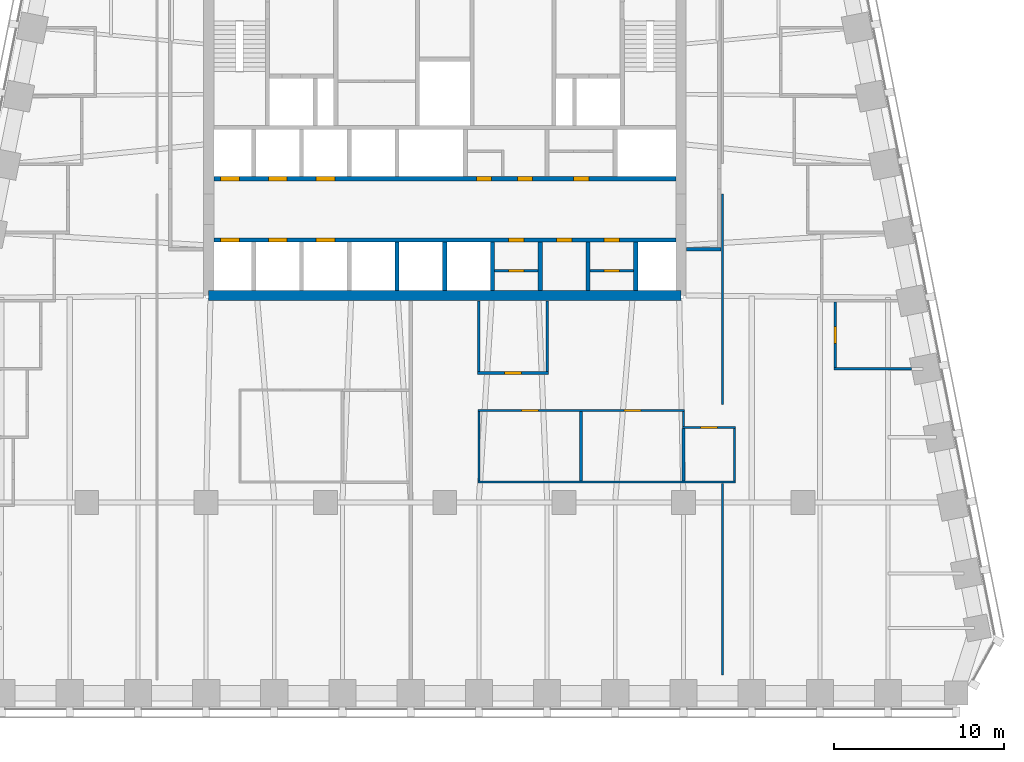
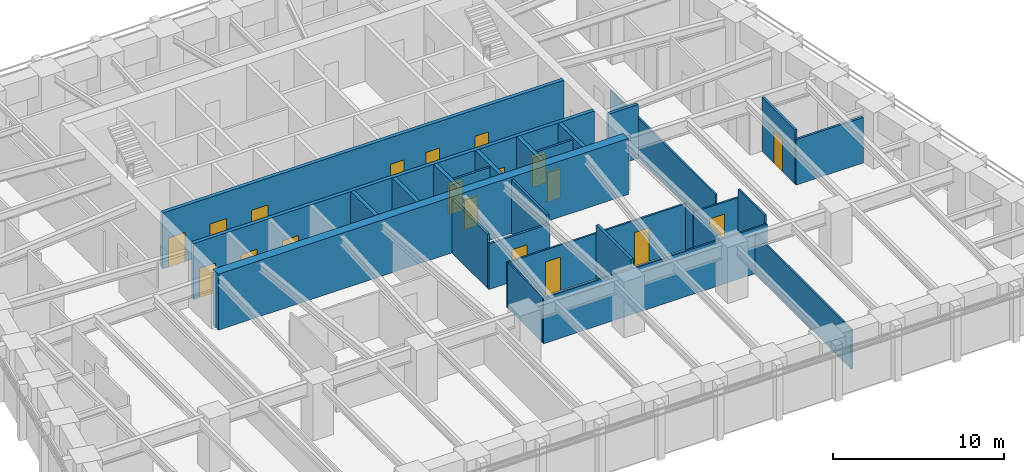
# One storey, part 6 of 10: 27 walls, 19 doors, 19 openings.
"""IFC4 building model written with IfcOpenShell, lengths in metres."""

from ifc_helpers import new_model, si_unit, direction, frame, frame_2d, origin, place, context, subcontext, project, spatial, rectangle, extrude, material, layer, layer_set, type_object, element, fill, save


model = new_model("IFC4")

# Units and contexts
model_context = context("Model", 3, precision=1e-05, world=origin(), true_north=direction((0.0, 1.0)))
body_context = subcontext(model_context, "Body", "Model", "MODEL_VIEW")
ifc_project = project(units=[si_unit("LENGTHUNIT", "METRE"), si_unit("AREAUNIT", "SQUARE_METRE"), si_unit("VOLUMEUNIT", "CUBIC_METRE"), si_unit("PLANEANGLEUNIT", "RADIAN"), si_unit("MASSUNIT", "GRAM", prefix="KILO")], contexts=[model_context])

# Site, building, storey
site_placement = place(None, origin())
site = spatial("IfcSite", under=ifc_project, at=site_placement, CompositionType="ELEMENT")
building_placement = place(site_placement, origin())
building = spatial("IfcBuilding", under=site, at=building_placement, Name="Isbrekke Arena Tower", CompositionType="ELEMENT")
storey_placement = place(building_placement, frame((0.0, 0.0, 194.0)))
storey = spatial("IfcBuildingStorey", under=building, at=storey_placement, Name="L44", CompositionType="ELEMENT", Elevation=194.0)

# Wall
ifc_material_1 = material(Name="Concrete B55 (C55/67)", Category="concrete")
ifc_layer_1 = layer(ifc_material_1, 0.60009765625)
ifc_layer_set_1 = layer_set([ifc_layer_1], Name="CW4 CORE WALL 600")
wall_type_1 = type_object("IfcWallType", Name="CW4 CORE WALL 600", PredefinedType="SHEAR", material=ifc_layer_set_1)
wall_1_placement = place(storey_placement, frame((-13.85009765625, 6.14990234375, 0.0), z_axis=(0.0, 0.0, 1.0), x_axis=(1.0, 0.0, 0.0)))
element("IfcWall", 1, at=wall_1_placement, inside=storey, type_object=wall_type_1, Name="Core wall S L44", PredefinedType="SHEAR", context=body_context, shape_type="SweptSolid", body=[
    extrude(rectangle(XDim=27.7001953125, YDim=0.60009765625, at=frame_2d((13.85009765625, 0.0))), origin(), (0.0, 0.0, 1.0), 4.0),
])

# Wall, openings, doors
ifc_material_2 = material(Name="Concrete B45 (C45/55)", Category="concrete")
ifc_layer_2 = layer(ifc_material_2, 0.25)
ifc_layer_set_2 = layer_set([ifc_layer_2], Name="CW6 SHAFT WALL 250")
wall_type_2 = type_object("IfcWallType", Name="CW6 SHAFT WALL 250", PredefinedType="SHEAR", material=ifc_layer_set_2)
wall_2_placement = place(storey_placement, frame((-13.550048828125, 9.39990234375, 0.0), z_axis=(0.0, 0.0, 1.0), x_axis=(1.0, 0.0, 0.0)))
wall_2 = element("IfcWall", 2, at=wall_2_placement, inside=storey, type_object=wall_type_2, Name="Core wall LS L44", PredefinedType="SHEAR", context=body_context, shape_type="SweptSolid", body=[
    extrude(rectangle(XDim=27.10009765625, YDim=0.25, at=frame_2d((13.550048828125, 0.0))), origin(), (0.0, 0.0, 1.0), 4.0),
])
opening_1_placement = place(wall_2_placement, frame((0.39990234375, 0.0, 0.0)))
opening_1 = element("IfcOpeningElement", 3, at=opening_1_placement, cuts=wall_2, Name="Opening LD1", PredefinedType="OPENING", context=body_context, shape_type="SweptSolid", body=[
    extrude(rectangle(XDim=1.10009765625, YDim=2.10009765625, at=frame_2d((0.550048828125, 1.050048828125))), frame((0.0, 0.139892578125, 0.0), z_axis=(0.0, -1.0, 0.0), x_axis=(1.0, 0.0, 0.0)), (0.0, 0.0, 1.0), 0.27978515625),
])
opening_2_placement = place(wall_2_placement, frame((3.199951171875, 0.0, 0.0)))
opening_2 = element("IfcOpeningElement", 4, at=opening_2_placement, cuts=wall_2, Name="Opening LD1", PredefinedType="OPENING", context=body_context, shape_type="SweptSolid", body=[
    extrude(rectangle(XDim=1.10009765625, YDim=2.10009765625, at=frame_2d((0.550048828125, 1.050048828125))), frame((0.0, 0.139892578125, 0.0), z_axis=(0.0, -1.0, 0.0), x_axis=(1.0, 0.0, 0.0)), (0.0, 0.0, 1.0), 0.27978515625),
])
opening_3_placement = place(wall_2_placement, frame((6.0, 0.0, 0.0)))
opening_3 = element("IfcOpeningElement", 5, at=opening_3_placement, cuts=wall_2, Name="Opening LD1", PredefinedType="OPENING", context=body_context, shape_type="SweptSolid", body=[
    extrude(rectangle(XDim=1.10009765625, YDim=2.10009765625, at=frame_2d((0.550048828125, 1.050048828125))), frame((0.0, 0.139892578125, 0.0), z_axis=(0.0, -1.0, 0.0), x_axis=(1.0, 0.0, 0.0)), (0.0, 0.0, 1.0), 0.27978515625),
])
opening_4_placement = place(wall_2_placement, frame((17.300048828125, 0.0, 0.0)))
opening_4 = element("IfcOpeningElement", 6, at=opening_4_placement, cuts=wall_2, Name="Opening D5", PredefinedType="OPENING", context=body_context, shape_type="SweptSolid", body=[
    extrude(rectangle(XDim=0.89990234375, YDim=2.10009765625, at=frame_2d((0.449951171875, 1.050048828125))), frame((0.0, 0.139892578125, 0.0), z_axis=(0.0, -1.0, 0.0), x_axis=(1.0, 0.0, 0.0)), (0.0, 0.0, 1.0), 0.27978515625),
])
opening_5_placement = place(wall_2_placement, frame((20.10009765625, 0.0, 0.0)))
opening_5 = element("IfcOpeningElement", 7, at=opening_5_placement, cuts=wall_2, Name="Opening D5", PredefinedType="OPENING", context=body_context, shape_type="SweptSolid", body=[
    extrude(rectangle(XDim=0.89990234375, YDim=2.10009765625, at=frame_2d((0.449951171875, 1.050048828125))), frame((0.0, 0.139892578125, 0.0), z_axis=(0.0, -1.0, 0.0), x_axis=(1.0, 0.0, 0.0)), (0.0, 0.0, 1.0), 0.27978515625),
])
opening_6_placement = place(wall_2_placement, frame((22.89990234375, 0.0, 0.0)))
opening_6 = element("IfcOpeningElement", 8, at=opening_6_placement, cuts=wall_2, Name="Opening D5", PredefinedType="OPENING", context=body_context, shape_type="SweptSolid", body=[
    extrude(rectangle(XDim=0.89990234375, YDim=2.10009765625, at=frame_2d((0.449951171875, 1.050048828125))), frame((0.0, 0.139892578125, 0.0), z_axis=(0.0, -1.0, 0.0), x_axis=(1.0, 0.0, 0.0)), (0.0, 0.0, 1.0), 0.27978515625),
])
ifc_material_3 = material(Name="Steel fire door", Category="steel")
door_type_1 = type_object("IfcDoorType", Name="D5 SERVICE DOOR 900 x 2100", OperationType="SINGLE_SWING_LEFT", PredefinedType="DOOR", material=ifc_material_3)
door_1_placement = place(opening_4_placement, origin())
door_1 = element("IfcDoor", 9, at=door_1_placement, inside=storey, type_object=door_type_1, Name="D5 first-aid room door L44", OperationType="SINGLE_SWING_LEFT", OverallHeight=2.10009765625, OverallWidth=0.89990234375, PredefinedType="DOOR", context=body_context, shape_type="SweptSolid", body=[
    extrude(rectangle(XDim=0.89990234375, YDim=2.10009765625, at=frame_2d((0.449951171875, 1.050048828125))), frame((0.0, 0.124755859375, 0.0), z_axis=(0.0, -1.0, 0.0), x_axis=(1.0, 0.0, 0.0)), (0.0, 0.0, 1.0), 0.24951171875),
])
fill(opening_4, door_1)
door_2_placement = place(opening_5_placement, origin())
door_2 = element("IfcDoor", 10, at=door_2_placement, inside=storey, type_object=door_type_1, Name="D5 tenant store door L44", OperationType="SINGLE_SWING_LEFT", OverallHeight=2.10009765625, OverallWidth=0.89990234375, PredefinedType="DOOR", context=body_context, shape_type="SweptSolid", body=[
    extrude(rectangle(XDim=0.89990234375, YDim=2.10009765625, at=frame_2d((0.449951171875, 1.050048828125))), frame((0.0, 0.124755859375, 0.0), z_axis=(0.0, -1.0, 0.0), x_axis=(1.0, 0.0, 0.0)), (0.0, 0.0, 1.0), 0.24951171875),
])
fill(opening_5, door_2)
door_3_placement = place(opening_6_placement, origin())
door_3 = element("IfcDoor", 11, at=door_3_placement, inside=storey, type_object=door_type_1, Name="D5 pantry door L44", OperationType="SINGLE_SWING_LEFT", OverallHeight=2.10009765625, OverallWidth=0.89990234375, PredefinedType="DOOR", context=body_context, shape_type="SweptSolid", body=[
    extrude(rectangle(XDim=0.89990234375, YDim=2.10009765625, at=frame_2d((0.449951171875, 1.050048828125))), frame((0.0, 0.124755859375, 0.0), z_axis=(0.0, -1.0, 0.0), x_axis=(1.0, 0.0, 0.0)), (0.0, 0.0, 1.0), 0.24951171875),
])
fill(opening_6, door_3)
ifc_material_4 = material(Name="Stainless steel lift landing door", Category="steel")
door_type_2 = type_object("IfcDoorType", Name="LD1 LIFT LANDING DOOR 1100 x 2100", OperationType="SLIDING_TO_LEFT", PredefinedType="DOOR", material=ifc_material_4)
door_4_placement = place(opening_1_placement, origin())
door_4 = element("IfcDoor", 12, at=door_4_placement, inside=storey, type_object=door_type_2, Name="LD1 lift landing door LC L44", OperationType="SLIDING_TO_LEFT", OverallHeight=2.10009765625, OverallWidth=1.10009765625, PredefinedType="DOOR", context=body_context, shape_type="SweptSolid", body=[
    extrude(rectangle(XDim=1.10009765625, YDim=2.10009765625, at=frame_2d((0.550048828125, 1.050048828125))), frame((0.0, 0.124755859375, 0.0), z_axis=(0.0, -1.0, 0.0), x_axis=(1.0, 0.0, 0.0)), (0.0, 0.0, 1.0), 0.24951171875),
])
fill(opening_1, door_4)
door_5_placement = place(opening_2_placement, origin())
door_5 = element("IfcDoor", 13, at=door_5_placement, inside=storey, type_object=door_type_2, Name="LD1 lift landing door LC L44", OperationType="SLIDING_TO_LEFT", OverallHeight=2.10009765625, OverallWidth=1.10009765625, PredefinedType="DOOR", context=body_context, shape_type="SweptSolid", body=[
    extrude(rectangle(XDim=1.10009765625, YDim=2.10009765625, at=frame_2d((0.550048828125, 1.050048828125))), frame((0.0, 0.124755859375, 0.0), z_axis=(0.0, -1.0, 0.0), x_axis=(1.0, 0.0, 0.0)), (0.0, 0.0, 1.0), 0.24951171875),
])
fill(opening_2, door_5)
door_6_placement = place(opening_3_placement, origin())
door_6 = element("IfcDoor", 14, at=door_6_placement, inside=storey, type_object=door_type_2, Name="LD1 lift landing door LC L44", OperationType="SLIDING_TO_LEFT", OverallHeight=2.10009765625, OverallWidth=1.10009765625, PredefinedType="DOOR", context=body_context, shape_type="SweptSolid", body=[
    extrude(rectangle(XDim=1.10009765625, YDim=2.10009765625, at=frame_2d((0.550048828125, 1.050048828125))), frame((0.0, 0.124755859375, 0.0), z_axis=(0.0, -1.0, 0.0), x_axis=(1.0, 0.0, 0.0)), (0.0, 0.0, 1.0), 0.24951171875),
])
fill(opening_3, door_6)

wall_3_placement = place(storey_placement, frame((-13.550048828125, 13.0, 0.0), z_axis=(0.0, 0.0, 1.0), x_axis=(1.0, 0.0, 0.0)))
wall_3 = element("IfcWall", 15, at=wall_3_placement, inside=storey, type_object=wall_type_2, Name="Core wall LN L44", PredefinedType="SHEAR", context=body_context, shape_type="SweptSolid", body=[
    extrude(rectangle(XDim=27.10009765625, YDim=0.25, at=frame_2d((13.550048828125, 0.0))), origin(), (0.0, 0.0, 1.0), 4.0),
])
opening_7_placement = place(wall_3_placement, frame((0.39990234375, 0.0, 0.0)))
opening_7 = element("IfcOpeningElement", 16, at=opening_7_placement, cuts=wall_3, Name="Opening LD1", PredefinedType="OPENING", context=body_context, shape_type="SweptSolid", body=[
    extrude(rectangle(XDim=1.10009765625, YDim=2.10009765625, at=frame_2d((0.550048828125, 1.050048828125))), frame((0.0, 0.139892578125, 0.0), z_axis=(0.0, -1.0, 0.0), x_axis=(1.0, 0.0, 0.0)), (0.0, 0.0, 1.0), 0.27978515625),
])
opening_8_placement = place(wall_3_placement, frame((3.199951171875, 0.0, 0.0)))
opening_8 = element("IfcOpeningElement", 17, at=opening_8_placement, cuts=wall_3, Name="Opening LD1", PredefinedType="OPENING", context=body_context, shape_type="SweptSolid", body=[
    extrude(rectangle(XDim=1.10009765625, YDim=2.10009765625, at=frame_2d((0.550048828125, 1.050048828125))), frame((0.0, 0.139892578125, 0.0), z_axis=(0.0, -1.0, 0.0), x_axis=(1.0, 0.0, 0.0)), (0.0, 0.0, 1.0), 0.27978515625),
])
opening_9_placement = place(wall_3_placement, frame((6.0, 0.0, 0.0)))
opening_9 = element("IfcOpeningElement", 18, at=opening_9_placement, cuts=wall_3, Name="Opening LD1", PredefinedType="OPENING", context=body_context, shape_type="SweptSolid", body=[
    extrude(rectangle(XDim=1.10009765625, YDim=2.10009765625, at=frame_2d((0.550048828125, 1.050048828125))), frame((0.0, 0.139892578125, 0.0), z_axis=(0.0, -1.0, 0.0), x_axis=(1.0, 0.0, 0.0)), (0.0, 0.0, 1.0), 0.27978515625),
])
opening_10_placement = place(wall_3_placement, frame((17.800048828125, 0.0, 0.0)))
opening_10 = element("IfcOpeningElement", 19, at=opening_10_placement, cuts=wall_3, Name="Opening D5", PredefinedType="OPENING", context=body_context, shape_type="SweptSolid", body=[
    extrude(rectangle(XDim=0.89990234375, YDim=2.10009765625, at=frame_2d((0.449951171875, 1.050048828125))), frame((0.0, 0.139892578125, 0.0), z_axis=(0.0, -1.0, 0.0), x_axis=(1.0, 0.0, 0.0)), (0.0, 0.0, 1.0), 0.27978515625),
])
opening_11_placement = place(wall_3_placement, frame((15.39990234375, 0.0, 0.0)))
opening_11 = element("IfcOpeningElement", 20, at=opening_11_placement, cuts=wall_3, Name="Opening D5", PredefinedType="OPENING", context=body_context, shape_type="SweptSolid", body=[
    extrude(rectangle(XDim=0.89990234375, YDim=2.10009765625, at=frame_2d((0.449951171875, 1.050048828125))), frame((0.0, 0.139892578125, 0.0), z_axis=(0.0, -1.0, 0.0), x_axis=(1.0, 0.0, 0.0)), (0.0, 0.0, 1.0), 0.27978515625),
])
opening_12_placement = place(wall_3_placement, frame((21.10009765625, 0.0, 0.0)))
opening_12 = element("IfcOpeningElement", 21, at=opening_12_placement, cuts=wall_3, Name="Opening D5", PredefinedType="OPENING", context=body_context, shape_type="SweptSolid", body=[
    extrude(rectangle(XDim=0.89990234375, YDim=2.10009765625, at=frame_2d((0.449951171875, 1.050048828125))), frame((0.0, 0.139892578125, 0.0), z_axis=(0.0, -1.0, 0.0), x_axis=(1.0, 0.0, 0.0)), (0.0, 0.0, 1.0), 0.27978515625),
])
door_7_placement = place(opening_10_placement, origin())
door_7 = element("IfcDoor", 22, at=door_7_placement, inside=storey, type_object=door_type_1, Name="D5 communications room door L44", OperationType="SINGLE_SWING_LEFT", OverallHeight=2.10009765625, OverallWidth=0.89990234375, PredefinedType="DOOR", context=body_context, shape_type="SweptSolid", body=[
    extrude(rectangle(XDim=0.89990234375, YDim=2.10009765625, at=frame_2d((0.449951171875, 1.050048828125))), frame((0.0, 0.124755859375, 0.0), z_axis=(0.0, -1.0, 0.0), x_axis=(1.0, 0.0, 0.0)), (0.0, 0.0, 1.0), 0.24951171875),
])
fill(opening_10, door_7)
door_8_placement = place(opening_11_placement, origin())
door_8 = element("IfcDoor", 23, at=door_8_placement, inside=storey, type_object=door_type_1, Name="D5 cleaner's store door L44", OperationType="SINGLE_SWING_LEFT", OverallHeight=2.10009765625, OverallWidth=0.89990234375, PredefinedType="DOOR", context=body_context, shape_type="SweptSolid", body=[
    extrude(rectangle(XDim=0.89990234375, YDim=2.10009765625, at=frame_2d((0.449951171875, 1.050048828125))), frame((0.0, 0.124755859375, 0.0), z_axis=(0.0, -1.0, 0.0), x_axis=(1.0, 0.0, 0.0)), (0.0, 0.0, 1.0), 0.24951171875),
])
fill(opening_11, door_8)
door_9_placement = place(opening_12_placement, origin())
door_9 = element("IfcDoor", 24, at=door_9_placement, inside=storey, type_object=door_type_1, Name="D5 tea point door L44", OperationType="SINGLE_SWING_LEFT", OverallHeight=2.10009765625, OverallWidth=0.89990234375, PredefinedType="DOOR", context=body_context, shape_type="SweptSolid", body=[
    extrude(rectangle(XDim=0.89990234375, YDim=2.10009765625, at=frame_2d((0.449951171875, 1.050048828125))), frame((0.0, 0.124755859375, 0.0), z_axis=(0.0, -1.0, 0.0), x_axis=(1.0, 0.0, 0.0)), (0.0, 0.0, 1.0), 0.24951171875),
])
fill(opening_12, door_9)
door_10_placement = place(opening_7_placement, origin())
door_10 = element("IfcDoor", 25, at=door_10_placement, inside=storey, type_object=door_type_2, Name="LD1 lift landing door LC L44", OperationType="SLIDING_TO_LEFT", OverallHeight=2.10009765625, OverallWidth=1.10009765625, PredefinedType="DOOR", context=body_context, shape_type="SweptSolid", body=[
    extrude(rectangle(XDim=1.10009765625, YDim=2.10009765625, at=frame_2d((0.550048828125, 1.050048828125))), frame((0.0, 0.124755859375, 0.0), z_axis=(0.0, -1.0, 0.0), x_axis=(1.0, 0.0, 0.0)), (0.0, 0.0, 1.0), 0.24951171875),
])
fill(opening_7, door_10)
door_11_placement = place(opening_8_placement, origin())
door_11 = element("IfcDoor", 26, at=door_11_placement, inside=storey, type_object=door_type_2, Name="LD1 lift landing door LC L44", OperationType="SLIDING_TO_LEFT", OverallHeight=2.10009765625, OverallWidth=1.10009765625, PredefinedType="DOOR", context=body_context, shape_type="SweptSolid", body=[
    extrude(rectangle(XDim=1.10009765625, YDim=2.10009765625, at=frame_2d((0.550048828125, 1.050048828125))), frame((0.0, 0.124755859375, 0.0), z_axis=(0.0, -1.0, 0.0), x_axis=(1.0, 0.0, 0.0)), (0.0, 0.0, 1.0), 0.24951171875),
])
fill(opening_8, door_11)
door_12_placement = place(opening_9_placement, origin())
door_12 = element("IfcDoor", 27, at=door_12_placement, inside=storey, type_object=door_type_2, Name="LD1 lift landing door LC L44", OperationType="SLIDING_TO_LEFT", OverallHeight=2.10009765625, OverallWidth=1.10009765625, PredefinedType="DOOR", context=body_context, shape_type="SweptSolid", body=[
    extrude(rectangle(XDim=1.10009765625, YDim=2.10009765625, at=frame_2d((0.550048828125, 1.050048828125))), frame((0.0, 0.124755859375, 0.0), z_axis=(0.0, -1.0, 0.0), x_axis=(1.0, 0.0, 0.0)), (0.0, 0.0, 1.0), 0.24951171875),
])
fill(opening_9, door_12)

# Walls
for number, where, z_axis, x_axis, name in (
    (28, (-2.800048828125, 6.449951171875, 0.0), (0.0, 0.0, 1.0), (0.0, 1.0, 0.0), "Core wall SS04 L44"),
    (29, (0.0, 6.449951171875, 0.0), (0.0, 0.0, 1.0), (0.0, 1.0, 0.0), "Core wall SS05 L44"),
    (30, (2.800048828125, 6.449951171875, 0.0), (0.0, 0.0, 1.0), (0.0, 1.0, 0.0), "Core wall SS06 L44"),
    (31, (5.60009765625, 6.449951171875, 0.0), (0.0, 0.0, 1.0), (0.0, 1.0, 0.0), "Core wall SS07 L44"),
    (32, (8.39990234375, 6.449951171875, 0.0), (0.0, 0.0, 1.0), (0.0, 1.0, 0.0), "Core wall SS08 L44"),
    (33, (11.199951171875, 6.449951171875, 0.0), (0.0, 0.0, 1.0), (0.0, 1.0, 0.0), "Core wall SS09 L44"),
):
    element("IfcWall", number, at=place(storey_placement, frame(where, z_axis=z_axis, x_axis=x_axis)), inside=storey, type_object=wall_type_2, Name=name, PredefinedType="SHEAR", context=body_context, shape_type="SweptSolid", body=[
        extrude(rectangle(XDim=2.824951171875, YDim=0.25, at=frame_2d((1.41259765625, 0.0))), origin(), (0.0, 0.0, 1.0), 4.0),
    ])

# Wall, opening, door
ifc_material_5 = material(Name="Gypsum board partition on steel studs", Category="steel")
ifc_layer_3 = layer(ifc_material_5, 0.14990234375)
ifc_layer_set_3 = layer_set([ifc_layer_3], Name="IW1 PARTITION 150")
wall_type_3 = type_object("IfcWallType", Name="IW1 PARTITION 150", PredefinedType="PARTITIONING", material=ifc_layer_set_3)
wall_4_placement = place(storey_placement, frame((1.925048828125, 1.60009765625, 0.0), z_axis=(0.0, 0.0, 1.0), x_axis=(1.0, 0.0, 0.0)))
wall_4 = element("IfcWall", 34, at=wall_4_placement, inside=storey, type_object=wall_type_3, Name="IW1 partition 150 L44", PredefinedType="PARTITIONING", context=body_context, shape_type="SweptSolid", body=[
    extrude(rectangle(XDim=4.14990234375, YDim=0.14990234375, at=frame_2d((2.074951171875, 0.0))), origin(), (0.0, 0.0, 1.0), 3.25),
])
opening_13_placement = place(wall_4_placement, frame((1.574951171875, 0.0, 0.0)))
opening_13 = element("IfcOpeningElement", 35, at=opening_13_placement, cuts=wall_4, Name="Opening D10", PredefinedType="OPENING", context=body_context, shape_type="SweptSolid", body=[
    extrude(rectangle(XDim=1.0, YDim=2.300048828125, at=frame_2d((0.5, 1.14990234375))), frame((0.0, 0.08984375, 0.0), z_axis=(0.0, -1.0, 0.0), x_axis=(1.0, 0.0, 0.0)), (0.0, 0.0, 1.0), 0.1796875),
])
ifc_material_6 = material(Name="Timber door", Category="wood")
door_type_3 = type_object("IfcDoorType", Name="D10 OFFICE DOOR 1000 x 2300", OperationType="SINGLE_SWING_LEFT", PredefinedType="DOOR", material=ifc_material_6)
door_13_placement = place(opening_13_placement, origin())
door_13 = element("IfcDoor", 36, at=door_13_placement, inside=storey, type_object=door_type_3, Name="D10 pantry door L44", OperationType="SINGLE_SWING_LEFT", OverallHeight=2.300048828125, OverallWidth=1.0, PredefinedType="DOOR", context=body_context, shape_type="SweptSolid", body=[
    extrude(rectangle(XDim=1.0, YDim=2.300048828125, at=frame_2d((0.5, 1.14990234375))), frame((0.0, 0.07470703125, 0.0), z_axis=(0.0, -1.0, 0.0), x_axis=(1.0, 0.0, 0.0)), (0.0, 0.0, 1.0), 0.1494140625),
])
fill(opening_13, door_13)

# Walls
wall_5_placement = place(storey_placement, frame((22.824951171875, 1.840087890625, 0.0), z_axis=(0.0, 0.0, 1.0), x_axis=(1.0, 0.0, 0.0)))
element("IfcWall", 37, at=wall_5_placement, inside=storey, type_object=wall_type_3, Name="IW1 partition 150 L44", PredefinedType="PARTITIONING", context=body_context, shape_type="SweptSolid", body=[
    extrude(rectangle(XDim=4.5498046875, YDim=0.14990234375, at=frame_2d((2.27490234375, 0.0))), origin(), (0.0, 0.0, 1.0), 3.25),
])
for number, where, z_axis, x_axis, name in (
    (38, (2.0, 1.675048828125, 0.0), (0.0, 0.0, 1.0), (0.0, 1.0, 0.0), "IW1 partition 150 L44"),
    (39, (6.0, 1.675048828125, 0.0), (0.0, 0.0, 1.0), (0.0, 1.0, 0.0), "IW1 partition 150 L44"),
):
    element("IfcWall", number, at=place(storey_placement, frame(where, z_axis=z_axis, x_axis=x_axis)), inside=storey, type_object=wall_type_3, Name=name, PredefinedType="PARTITIONING", context=body_context, shape_type="SweptSolid", body=[
        extrude(rectangle(XDim=4.14501953125, YDim=0.14990234375, at=frame_2d((2.072509765625, 0.0))), origin(), (0.0, 0.0, 1.0), 3.85009765625),
    ])

# Wall, opening, door
wall_6_placement = place(storey_placement, frame((22.89990234375, 1.9150390625, 0.0), z_axis=(0.0, 0.0, 1.0), x_axis=(0.0, 1.0, 0.0)))
wall_6 = element("IfcWall", 40, at=wall_6_placement, inside=storey, type_object=wall_type_3, Name="IW1 partition 150 L44", PredefinedType="PARTITIONING", context=body_context, shape_type="SweptSolid", body=[
    extrude(rectangle(XDim=3.849853515625, YDim=0.14990234375, at=frame_2d((1.9248046875, 0.0))), origin(), (0.0, 0.0, 1.0), 3.85009765625),
])
opening_14_placement = place(wall_6_placement, frame((1.425048828125, 0.0, 0.0)))
opening_14 = element("IfcOpeningElement", 41, at=opening_14_placement, cuts=wall_6, Name="Opening D10", PredefinedType="OPENING", context=body_context, shape_type="SweptSolid", body=[
    extrude(rectangle(XDim=1.0, YDim=2.300048828125, at=frame_2d((0.5, 1.14990234375))), frame((0.0, 0.08984375, 0.0), z_axis=(0.0, -1.0, 0.0), x_axis=(1.0, 0.0, 0.0)), (0.0, 0.0, 1.0), 0.1796875),
])
door_14_placement = place(opening_14_placement, origin())
door_14 = element("IfcDoor", 42, at=door_14_placement, inside=storey, type_object=door_type_3, Name="D10 office door L44", OperationType="SINGLE_SWING_LEFT", OverallHeight=2.300048828125, OverallWidth=1.0, PredefinedType="DOOR", context=body_context, shape_type="SweptSolid", body=[
    extrude(rectangle(XDim=1.0, YDim=2.300048828125, at=frame_2d((0.5, 1.14990234375))), frame((0.0, 0.07470703125, 0.0), z_axis=(0.0, -1.0, 0.0), x_axis=(1.0, 0.0, 0.0)), (0.0, 0.0, 1.0), 0.1494140625),
])
fill(opening_14, door_14)

# Wall
ifc_material_7 = material(Name="Frameless glazed partition, laminated acoustic glass", Category="glass")
ifc_layer_4 = layer(ifc_material_7, 0.1201171875)
ifc_layer_set_4 = layer_set([ifc_layer_4], Name="IW2 GLAZED PARTITION 120")
wall_type_4 = type_object("IfcWallType", Name="IW2 GLAZED PARTITION 120", PredefinedType="PARTITIONING", material=ifc_layer_set_4)
wall_7_placement = place(storey_placement, frame((1.93994140625, -4.800048828125, 0.0), z_axis=(0.0, 0.0, 1.0), x_axis=(1.0, 0.0, 0.0)))
element("IfcWall", 43, at=wall_7_placement, inside=storey, type_object=wall_type_4, Name="IW2 glazed partition 120 L44", PredefinedType="PARTITIONING", context=body_context, shape_type="SweptSolid", body=[
    extrude(rectangle(XDim=15.1201171875, YDim=0.1201171875, at=frame_2d((7.56005859375, 0.0))), origin(), (0.0, 0.0, 1.0), 3.25),
])

# Wall, opening, door
wall_8_placement = place(storey_placement, frame((13.93994140625, -1.60009765625, 0.0), z_axis=(0.0, 0.0, 1.0), x_axis=(1.0, 0.0, 0.0)))
wall_8 = element("IfcWall", 44, at=wall_8_placement, inside=storey, type_object=wall_type_4, Name="IW2 glazed partition 120 L44", PredefinedType="PARTITIONING", context=body_context, shape_type="SweptSolid", body=[
    extrude(rectangle(XDim=3.1201171875, YDim=0.1201171875, at=frame_2d((1.56005859375, 0.0))), origin(), (0.0, 0.0, 1.0), 3.25),
])
opening_15_placement = place(wall_8_placement, frame((1.06005859375, 0.0, 0.0)))
opening_15 = element("IfcOpeningElement", 45, at=opening_15_placement, cuts=wall_8, Name="Opening D11", PredefinedType="OPENING", context=body_context, shape_type="SweptSolid", body=[
    extrude(rectangle(XDim=1.0, YDim=2.39990234375, at=frame_2d((0.5, 1.199951171875))), frame((0.0, 0.074951171875, 0.0), z_axis=(0.0, -1.0, 0.0), x_axis=(1.0, 0.0, 0.0)), (0.0, 0.0, 1.0), 0.14990234375),
])
ifc_material_8 = material(Name="Frameless glazed door", Category="glass")
door_type_4 = type_object("IfcDoorType", Name="D11 GLAZED MEETING ROOM DOOR 1000 x 2400", OperationType="SINGLE_SWING_RIGHT", PredefinedType="DOOR", material=ifc_material_8)
door_15_placement = place(opening_15_placement, origin())
door_15 = element("IfcDoor", 46, at=door_15_placement, inside=storey, type_object=door_type_4, Name="D11 quiet room door L44", OperationType="SINGLE_SWING_RIGHT", OverallHeight=2.39990234375, OverallWidth=1.0, PredefinedType="DOOR", context=body_context, shape_type="SweptSolid", body=[
    extrude(rectangle(XDim=1.0, YDim=2.39990234375, at=frame_2d((0.5, 1.199951171875))), frame((0.0, 0.059814453125, 0.0), z_axis=(0.0, -1.0, 0.0), x_axis=(1.0, 0.0, 0.0)), (0.0, 0.0, 1.0), 0.11962890625),
])
fill(opening_15, door_15)

# Wall, openings, doors
wall_9_placement = place(storey_placement, frame((1.93994140625, -0.60009765625, 0.0), z_axis=(0.0, 0.0, 1.0), x_axis=(1.0, 0.0, 0.0)))
wall_9 = element("IfcWall", 47, at=wall_9_placement, inside=storey, type_object=wall_type_4, Name="IW2 glazed partition 120 L44", PredefinedType="PARTITIONING", context=body_context, shape_type="SweptSolid", body=[
    extrude(rectangle(XDim=12.1201171875, YDim=0.1201171875, at=frame_2d((6.06005859375, 0.0))), origin(), (0.0, 0.0, 1.0), 3.25),
])
opening_16_placement = place(wall_9_placement, frame((2.56005859375, 0.0, 0.0)))
opening_16 = element("IfcOpeningElement", 48, at=opening_16_placement, cuts=wall_9, Name="Opening D11", PredefinedType="OPENING", context=body_context, shape_type="SweptSolid", body=[
    extrude(rectangle(XDim=1.0, YDim=2.39990234375, at=frame_2d((0.5, 1.199951171875))), frame((0.0, 0.074951171875, 0.0), z_axis=(0.0, -1.0, 0.0), x_axis=(1.0, 0.0, 0.0)), (0.0, 0.0, 1.0), 0.14990234375),
])
opening_17_placement = place(wall_9_placement, frame((8.56005859375, 0.0, 0.0)))
opening_17 = element("IfcOpeningElement", 49, at=opening_17_placement, cuts=wall_9, Name="Opening D11", PredefinedType="OPENING", context=body_context, shape_type="SweptSolid", body=[
    extrude(rectangle(XDim=1.0, YDim=2.39990234375, at=frame_2d((0.5, 1.199951171875))), frame((0.0, 0.074951171875, 0.0), z_axis=(0.0, -1.0, 0.0), x_axis=(1.0, 0.0, 0.0)), (0.0, 0.0, 1.0), 0.14990234375),
])
door_16_placement = place(opening_16_placement, origin())
door_16 = element("IfcDoor", 50, at=door_16_placement, inside=storey, type_object=door_type_4, Name="D11 meeting room door L44", OperationType="SINGLE_SWING_RIGHT", OverallHeight=2.39990234375, OverallWidth=1.0, PredefinedType="DOOR", context=body_context, shape_type="SweptSolid", body=[
    extrude(rectangle(XDim=1.0, YDim=2.39990234375, at=frame_2d((0.5, 1.199951171875))), frame((0.0, 0.059814453125, 0.0), z_axis=(0.0, -1.0, 0.0), x_axis=(1.0, 0.0, 0.0)), (0.0, 0.0, 1.0), 0.11962890625),
])
fill(opening_16, door_16)
door_17_placement = place(opening_17_placement, origin())
door_17 = element("IfcDoor", 51, at=door_17_placement, inside=storey, type_object=door_type_4, Name="D11 meeting room door L44", OperationType="SINGLE_SWING_RIGHT", OverallHeight=2.39990234375, OverallWidth=1.0, PredefinedType="DOOR", context=body_context, shape_type="SweptSolid", body=[
    extrude(rectangle(XDim=1.0, YDim=2.39990234375, at=frame_2d((0.5, 1.199951171875))), frame((0.0, 0.059814453125, 0.0), z_axis=(0.0, -1.0, 0.0), x_axis=(1.0, 0.0, 0.0)), (0.0, 0.0, 1.0), 0.11962890625),
])
fill(opening_17, door_17)

# Walls
wall_10_placement = place(storey_placement, frame((2.0, -4.739990234375, 0.0), z_axis=(0.0, 0.0, 1.0), x_axis=(0.0, 1.0, 0.0)))
element("IfcWall", 52, at=wall_10_placement, inside=storey, type_object=wall_type_4, Name="IW2 glazed partition 120 L44", PredefinedType="PARTITIONING", context=body_context, shape_type="SweptSolid", body=[
    extrude(rectangle(XDim=4.080078125, YDim=0.1201171875, at=frame_2d((2.0400390625, 0.0))), origin(), (0.0, 0.0, 1.0), 3.25),
])
wall_11_placement = place(storey_placement, frame((14.0, -1.5400390625, 0.0), z_axis=(0.0, 0.0, 1.0), x_axis=(0.0, 1.0, 0.0)))
element("IfcWall", 53, at=wall_11_placement, inside=storey, type_object=wall_type_4, Name="IW2 glazed partition 120 L44", PredefinedType="PARTITIONING", context=body_context, shape_type="SweptSolid", body=[
    extrude(rectangle(XDim=0.880126953125, YDim=0.1201171875, at=frame_2d((0.43994140625, 0.0))), origin(), (0.0, 0.0, 1.0), 3.25),
])
wall_12_placement = place(storey_placement, frame((17.0, -4.739990234375, 0.0), z_axis=(0.0, 0.0, 1.0), x_axis=(0.0, 1.0, 0.0)))
element("IfcWall", 54, at=wall_12_placement, inside=storey, type_object=wall_type_4, Name="IW2 glazed partition 120 L44", PredefinedType="PARTITIONING", context=body_context, shape_type="SweptSolid", body=[
    extrude(rectangle(XDim=3.080078125, YDim=0.1201171875, at=frame_2d((1.5400390625, 0.0))), origin(), (0.0, 0.0, 1.0), 3.85009765625),
])
wall_13_placement = place(storey_placement, frame((16.281005859375, -16.10009765625, 0.0), z_axis=(0.0, 0.0, 1.0), x_axis=(0.0, 1.0, 0.0)))
element("IfcWall", 55, at=wall_13_placement, inside=storey, type_object=wall_type_4, Name="IW2 glazed partition 120 L44", PredefinedType="PARTITIONING", context=body_context, shape_type="SweptSolid", body=[
    extrude(rectangle(XDim=11.22021484375, YDim=0.1201171875, at=frame_2d((5.610107421875, 0.0))), origin(), (0.0, 0.0, 1.0), 2.842041015625),
])
wall_14_placement = place(storey_placement, frame((16.281005859375, -0.239990234375, 0.0), z_axis=(0.0, 0.0, 1.0), x_axis=(0.0, 1.0, 0.0)))
element("IfcWall", 56, at=wall_14_placement, inside=storey, type_object=wall_type_4, Name="IW2 glazed partition 120 L44", PredefinedType="PARTITIONING", context=body_context, shape_type="SweptSolid", body=[
    extrude(rectangle(XDim=12.340087890625, YDim=0.1201171875, at=frame_2d((6.169921875, 0.0))), origin(), (0.0, 0.0, 1.0), 2.842041015625),
])
ifc_material_9 = material(Name="Gypsum board fire-cell wall on steel studs, two layers each side", Category="steel")
ifc_layer_5 = layer(ifc_material_9, 0.199951171875)
ifc_layer_set_5 = layer_set([ifc_layer_5], Name="IW3 FIRE-CELL WALL 200")
wall_type_5 = type_object("IfcWallType", Name="IW3 FIRE-CELL WALL 200", PredefinedType="PARTITIONING", material=ifc_layer_set_5)
wall_15_placement = place(storey_placement, frame((14.179931640625, 8.85009765625, 0.0), z_axis=(0.0, 0.0, 1.0), x_axis=(1.0, 0.0, 0.0)))
element("IfcWall", 57, at=wall_15_placement, inside=storey, type_object=wall_type_5, Name="IW3 fire-cell wall 200 L44", PredefinedType="PARTITIONING", context=body_context, shape_type="SweptSolid", body=[
    extrude(rectangle(XDim=2.02001953125, YDim=0.199951171875, at=frame_2d((1.010009765625, 0.0))), origin(), (0.0, 0.0, 1.0), 3.85009765625),
])
ifc_material_10 = material(Name="Gypsum board acoustic partition on twin steel studs", Category="steel")
ifc_layer_6 = layer(ifc_material_10, 0.175048828125)
ifc_layer_set_6 = layer_set([ifc_layer_6], Name="IW4 ACOUSTIC PARTITION 175")
wall_type_6 = type_object("IfcWallType", Name="IW4 ACOUSTIC PARTITION 175", PredefinedType="PARTITIONING", material=ifc_layer_set_6)
wall_16_placement = place(storey_placement, frame((8.0, -4.739990234375, 0.0), z_axis=(0.0, 0.0, 1.0), x_axis=(0.0, 1.0, 0.0)))
element("IfcWall", 58, at=wall_16_placement, inside=storey, type_object=wall_type_6, Name="IW4 acoustic partition 175 L44", PredefinedType="PARTITIONING", context=body_context, shape_type="SweptSolid", body=[
    extrude(rectangle(XDim=4.080078125, YDim=0.175048828125, at=frame_2d((2.0400390625, 0.0))), origin(), (0.0, 0.0, 1.0), 3.85009765625),
])
wall_17_placement = place(storey_placement, frame((14.0, -4.739990234375, 0.0), z_axis=(0.0, 0.0, 1.0), x_axis=(0.0, 1.0, 0.0)))
element("IfcWall", 59, at=wall_17_placement, inside=storey, type_object=wall_type_6, Name="IW4 acoustic partition 175 L44", PredefinedType="PARTITIONING", context=body_context, shape_type="SweptSolid", body=[
    extrude(rectangle(XDim=3.080078125, YDim=0.175048828125, at=frame_2d((1.5400390625, 0.0))), origin(), (0.0, 0.0, 1.0), 3.25),
])

# Wall, opening, door
ifc_material_11 = material(Name="Gypsum board fire-rated partition on steel studs, two layers each side", Category="steel")
ifc_layer_7 = layer(ifc_material_11, 0.14990234375)
ifc_layer_set_7 = layer_set([ifc_layer_7], Name="IW5 FIRE-RATED PARTITION 150")
wall_type_7 = type_object("IfcWallType", Name="IW5 FIRE-RATED PARTITION 150", PredefinedType="PARTITIONING", material=ifc_layer_set_7)
wall_18_placement = place(storey_placement, frame((2.925048828125, 7.60009765625, 0.0), z_axis=(0.0, 0.0, 1.0), x_axis=(1.0, 0.0, 0.0)))
wall_18 = element("IfcWall", 60, at=wall_18_placement, inside=storey, type_object=wall_type_7, Name="IW5 fire-rated partition L44 core service rooms 4", PredefinedType="PARTITIONING", context=body_context, shape_type="SweptSolid", body=[
    extrude(rectangle(XDim=2.550048828125, YDim=0.14990234375, at=frame_2d((1.27490234375, 0.0))), origin(), (0.0, 0.0, 1.0), 3.85009765625),
])
opening_18_placement = place(wall_18_placement, frame((0.824951171875, 0.0, 0.0)))
opening_18 = element("IfcOpeningElement", 61, at=opening_18_placement, cuts=wall_18, Name="Opening D5", PredefinedType="OPENING", context=body_context, shape_type="SweptSolid", body=[
    extrude(rectangle(XDim=0.89990234375, YDim=2.10009765625, at=frame_2d((0.449951171875, 1.050048828125))), frame((0.0, 0.08984375, 0.0), z_axis=(0.0, -1.0, 0.0), x_axis=(1.0, 0.0, 0.0)), (0.0, 0.0, 1.0), 0.1796875),
])
door_18_placement = place(opening_18_placement, origin())
door_18 = element("IfcDoor", 62, at=door_18_placement, inside=storey, type_object=door_type_1, Name="D5 store door L44", OperationType="SINGLE_SWING_LEFT", OverallHeight=2.10009765625, OverallWidth=0.89990234375, PredefinedType="DOOR", context=body_context, shape_type="SweptSolid", body=[
    extrude(rectangle(XDim=0.89990234375, YDim=2.10009765625, at=frame_2d((0.449951171875, 1.050048828125))), frame((0.0, 0.07470703125, 0.0), z_axis=(0.0, -1.0, 0.0), x_axis=(1.0, 0.0, 0.0)), (0.0, 0.0, 1.0), 0.1494140625),
])
fill(opening_18, door_18)

wall_19_placement = place(storey_placement, frame((8.52490234375, 7.60009765625, 0.0), z_axis=(0.0, 0.0, 1.0), x_axis=(1.0, 0.0, 0.0)))
wall_19 = element("IfcWall", 63, at=wall_19_placement, inside=storey, type_object=wall_type_7, Name="IW5 fire-rated partition L44 core service rooms 5", PredefinedType="PARTITIONING", context=body_context, shape_type="SweptSolid", body=[
    extrude(rectangle(XDim=2.550048828125, YDim=0.14990234375, at=frame_2d((1.27490234375, 0.0))), origin(), (0.0, 0.0, 1.0), 3.85009765625),
])
opening_19_placement = place(wall_19_placement, frame((0.824951171875, 0.0, 0.0)))
opening_19 = element("IfcOpeningElement", 64, at=opening_19_placement, cuts=wall_19, Name="Opening D5", PredefinedType="OPENING", context=body_context, shape_type="SweptSolid", body=[
    extrude(rectangle(XDim=0.89990234375, YDim=2.10009765625, at=frame_2d((0.449951171875, 1.050048828125))), frame((0.0, 0.08984375, 0.0), z_axis=(0.0, -1.0, 0.0), x_axis=(1.0, 0.0, 0.0)), (0.0, 0.0, 1.0), 0.1796875),
])
door_19_placement = place(opening_19_placement, origin())
door_19 = element("IfcDoor", 65, at=door_19_placement, inside=storey, type_object=door_type_1, Name="D5 archive door L44", OperationType="SINGLE_SWING_LEFT", OverallHeight=2.10009765625, OverallWidth=0.89990234375, PredefinedType="DOOR", context=body_context, shape_type="SweptSolid", body=[
    extrude(rectangle(XDim=0.89990234375, YDim=2.10009765625, at=frame_2d((0.449951171875, 1.050048828125))), frame((0.0, 0.07470703125, 0.0), z_axis=(0.0, -1.0, 0.0), x_axis=(1.0, 0.0, 0.0)), (0.0, 0.0, 1.0), 0.1494140625),
])
fill(opening_19, door_19)

save(model, "model.ifc")
